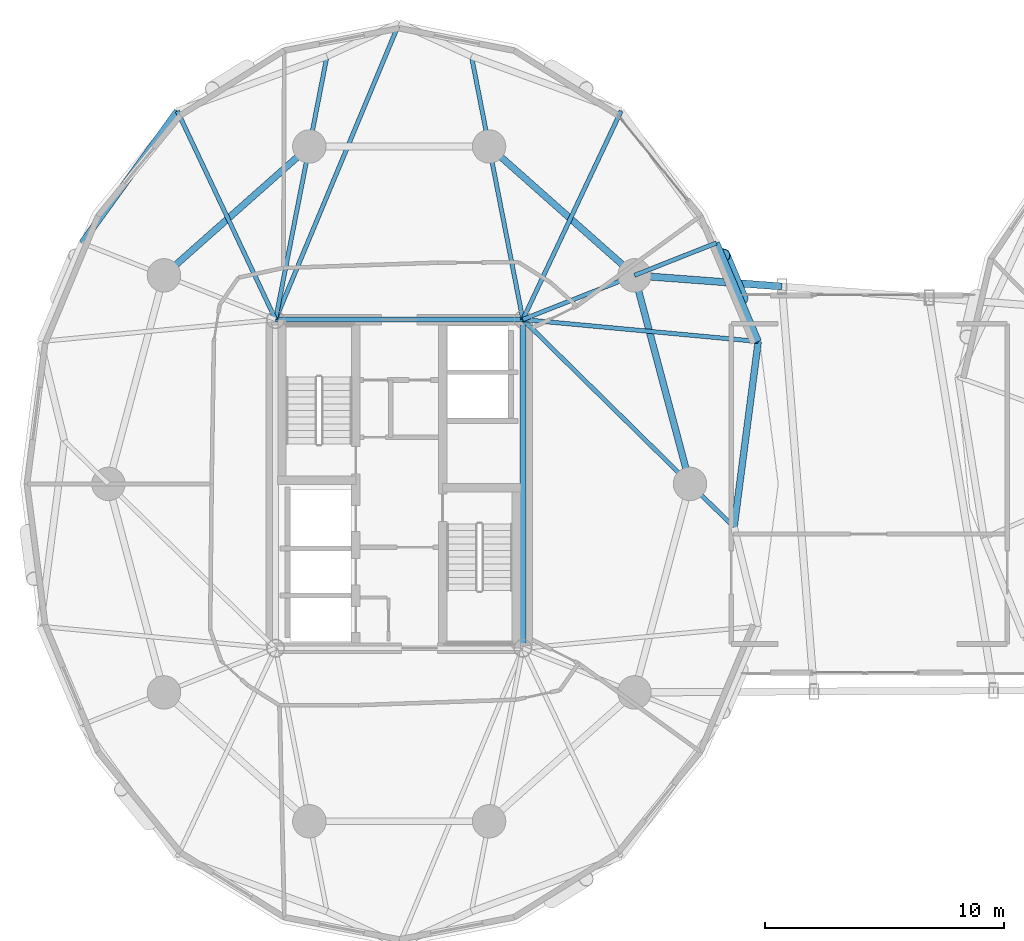
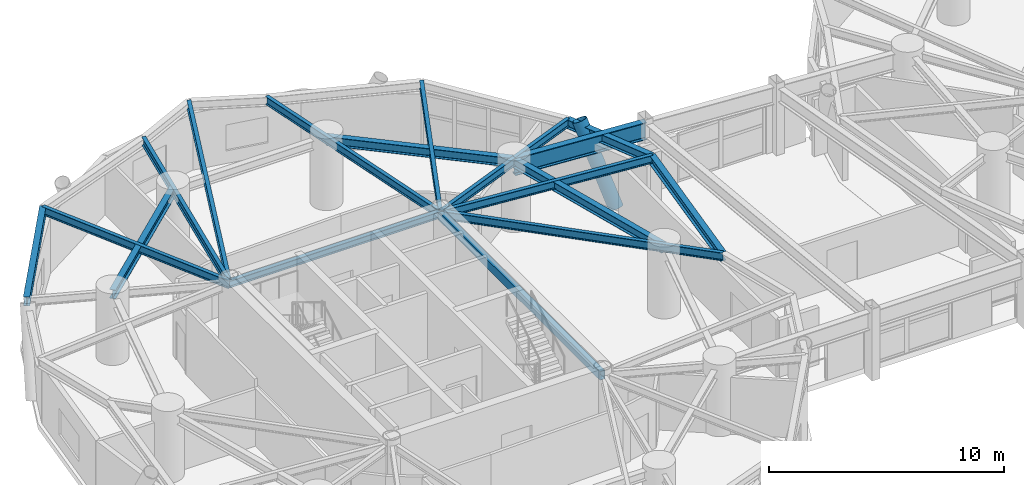
# One storey, part 2 of 19: 18 beams, 1 member.
"""IFC4 building model written with IfcOpenShell, lengths in metres."""

from ifc_helpers import new_model, si_unit, direction, frame, origin, origin_2d, place, context, subcontext, project, spatial, hollow_rectangle, hollow_circle, i_section, extrude, material, material_profile, profile_set, type_object, element, save


model = new_model("IFC4")

# Units and contexts
model_context = context("Model", 3, precision=1e-05, world=origin(), true_north=direction((0.0, 1.0)))
body_context = subcontext(model_context, "Body", "Model", "MODEL_VIEW")
ifc_project = project(units=[si_unit("LENGTHUNIT", "METRE"), si_unit("AREAUNIT", "SQUARE_METRE"), si_unit("VOLUMEUNIT", "CUBIC_METRE"), si_unit("PLANEANGLEUNIT", "RADIAN"), si_unit("MASSUNIT", "GRAM", prefix="KILO")], contexts=[model_context])

# Site, building, storey
site_placement = place(None, origin())
site = spatial("IfcSite", under=ifc_project, at=site_placement, CompositionType="ELEMENT")
building_placement = place(site_placement, origin())
building = spatial("IfcBuilding", under=site, at=building_placement, Name="Cununo Teusaquillo Station Towers", CompositionType="ELEMENT")
storey_placement = place(building_placement, frame((0.0, 0.0, 132.8798828125)))
storey = spatial("IfcBuildingStorey", under=building, at=storey_placement, Name="L42", CompositionType="ELEMENT", Elevation=132.8798828125)

# Beams
ifc_material_1 = material(Name="Steel EN 10025-2 S355J2", Category="steel")
ifc_material_profile_1 = material_profile(ifc_material_1, i_section(OverallWidth=0.300048828125, OverallDepth=0.89990234375, WebThickness=0.0185546875, FlangeThickness=0.034912109375, FilletRadius=0.027099609375, at=origin_2d()), Name="HEB 900")
ifc_profile_set_1 = profile_set([ifc_material_profile_1], Name="Steel EN 10025-2 S355J2")
beam_type_1 = type_object("IfcBeamType", Name="BM-BRG-CH2", PredefinedType="BEAM", material=ifc_profile_set_1)
beam_1_placement = place(storey_placement, frame((26.347412109375, 33.228515625, 2.990234375), z_axis=(0.997146155085, -0.075495333624, 0.0), x_axis=(0.075495333624, 0.997146155085, 0.0)))
element("IfcBeam", 1, at=beam_1_placement, inside=storey, type_object=beam_type_1, Name="L42 Mid-Bridge Chord N1", PredefinedType="BEAM", context=body_context, shape_type="SweptSolid", body=[
    extrude(i_section(OverallWidth=0.300048828125, OverallDepth=0.89990234375, WebThickness=0.0185546875, FlangeThickness=0.034912109375, FilletRadius=0.027099609375, at=origin_2d()), origin(), (0.0, 0.0, 1.0), 6.186279296875),
])
ifc_material_2 = material(Name="Steel EN 10025-2 S355J2", Category="steel")
ifc_material_profile_2 = material_profile(ifc_material_2, hollow_rectangle(XDim=0.25, YDim=0.449951171875, WallThickness=0.01611328125, at=origin_2d()), Name="RHS 450x250x16")
ifc_profile_set_2 = profile_set([ifc_material_profile_2], Name="Steel EN 10025-2 S355J2")
beam_type_2 = type_object("IfcBeamType", Name="BM-COUP-1", PredefinedType="USERDEFINED", material=ifc_profile_set_2)
beam_2_placement = place(storey_placement, frame((21.675048828125, 17.6201171875, 3.215087890625), z_axis=(0.0, 1.0, 0.0), x_axis=(-1.0, 0.0, 0.0)))
element("IfcBeam", 2, at=beam_2_placement, inside=storey, type_object=beam_type_2, Name="L42 Tower A Core Beam 2", ObjectType="COUPLING BEAM", PredefinedType="USERDEFINED", context=body_context, shape_type="SweptSolid", body=[
    extrude(hollow_rectangle(XDim=0.25, YDim=0.449951171875, WallThickness=0.01611328125, at=origin_2d()), origin(), (0.0, 0.0, 1.0), 13.759765625),
])
ifc_material_3 = material(Name="Steel ASTM A572 Grade 50", Category="steel")
ifc_material_profile_3 = material_profile(ifc_material_3, i_section(OverallWidth=0.180908203125, OverallDepth=0.4169921875, WebThickness=0.010986328125, FlangeThickness=0.018310546875, FilletRadius=0.012939453125, at=origin_2d()), Name="W16X57")
ifc_profile_set_3 = profile_set([ifc_material_profile_3], Name="Steel ASTM A572 Grade 50")
beam_type_3 = type_object("IfcBeamType", Name="BM-JOIST-1", PredefinedType="JOIST", material=ifc_profile_set_3)
beam_3_placement = place(storey_placement, frame((21.675048828125, 31.3798828125, 3.231689453125), z_axis=(0.995678537907, -0.09286683558, 0.0), x_axis=(0.09286683558, 0.995678537907, 0.0)))
element("IfcBeam", 3, at=beam_3_placement, inside=storey, type_object=beam_type_3, Name="L42 Tower A Radial Spandrel Joist V01", PredefinedType="JOIST", context=body_context, shape_type="SweptSolid", body=[
    extrude(i_section(OverallWidth=0.180908203125, OverallDepth=0.4169921875, WebThickness=0.010986328125, FlangeThickness=0.018310546875, FilletRadius=0.012939453125, at=origin_2d()), origin(), (0.0, 0.0, 1.0), 9.895263671875),
])
beam_4_placement = place(storey_placement, frame((21.675048828125, 31.3798828125, 3.231689453125), z_axis=(0.426319838016, 0.904572493344, 0.0), x_axis=(-0.904572493344, 0.426319838016, 0.0)))
element("IfcBeam", 4, at=beam_4_placement, inside=storey, type_object=beam_type_3, Name="L42 Tower A Radial Spandrel Joist V03", PredefinedType="JOIST", context=body_context, shape_type="SweptSolid", body=[
    extrude(i_section(OverallWidth=0.180908203125, OverallDepth=0.4169921875, WebThickness=0.010986328125, FlangeThickness=0.018310546875, FilletRadius=0.012939453125, at=origin_2d()), origin(), (0.0, 0.0, 1.0), 9.646728515625),
])
beam_5_placement = place(storey_placement, frame((11.324951171875, 31.3798828125, 3.231689453125), z_axis=(0.38487837995, 0.922967297713, 0.0), x_axis=(-0.922967297713, 0.38487837995, 0.0)))
element("IfcBeam", 5, at=beam_5_placement, inside=storey, type_object=beam_type_3, Name="L42 Tower A Radial Spandrel Joist V05", PredefinedType="JOIST", context=body_context, shape_type="SweptSolid", body=[
    extrude(i_section(OverallWidth=0.180908203125, OverallDepth=0.4169921875, WebThickness=0.010986328125, FlangeThickness=0.018310546875, FilletRadius=0.012939453125, at=origin_2d()), origin(), (0.0, 0.0, 1.0), 13.446044921875),
])
beam_6_placement = place(storey_placement, frame((11.324951171875, 31.3798828125, 3.231689453125), z_axis=(-0.426319838016, 0.904572493344, 0.0), x_axis=(-0.904572493344, -0.426319838016, 0.0)))
element("IfcBeam", 6, at=beam_6_placement, inside=storey, type_object=beam_type_3, Name="L42 Tower A Radial Spandrel Joist V07", PredefinedType="JOIST", context=body_context, shape_type="SweptSolid", body=[
    extrude(i_section(OverallWidth=0.180908203125, OverallDepth=0.4169921875, WebThickness=0.010986328125, FlangeThickness=0.018310546875, FilletRadius=0.012939453125, at=origin_2d()), origin(), (0.0, 0.0, 1.0), 9.646728515625),
])
ifc_material_4 = material(Name="Steel ASTM A572 Grade 50", Category="steel")
ifc_material_profile_4 = material_profile(ifc_material_4, i_section(OverallWidth=0.2041015625, OverallDepth=0.35009765625, WebThickness=0.008544921875, FlangeThickness=0.01513671875, FilletRadius=0.011962890625, at=origin_2d()), Name="W14X48")
ifc_profile_set_4 = profile_set([ifc_material_profile_4], Name="Steel ASTM A572 Grade 50")
beam_type_4 = type_object("IfcBeamType", Name="BM-LINTEL-1", PredefinedType="LINTEL", material=ifc_profile_set_4)
beam_7_placement = place(storey_placement, frame((11.324951171875, 31.3798828125, 3.26513671875), z_axis=(1.0, 0.0, 0.0), x_axis=(0.0, 1.0, 0.0)))
element("IfcBeam", 7, at=beam_7_placement, inside=storey, type_object=beam_type_4, Name="L42 Tower A Core Beam 4", PredefinedType="LINTEL", context=body_context, shape_type="SweptSolid", body=[
    extrude(i_section(OverallWidth=0.2041015625, OverallDepth=0.35009765625, WebThickness=0.008544921875, FlangeThickness=0.01513671875, FilletRadius=0.011962890625, at=origin_2d()), origin(), (0.0, 0.0, 1.0), 10.35009765625),
])
ifc_material_5 = material(Name="Steel ASTM A572 Grade 50", Category="steel")
ifc_material_profile_5 = material_profile(ifc_material_5, i_section(OverallWidth=0.180908203125, OverallDepth=0.4169921875, WebThickness=0.010986328125, FlangeThickness=0.018310546875, FilletRadius=0.012939453125, at=origin_2d()), Name="W16X57")
ifc_profile_set_5 = profile_set([ifc_material_profile_5], Name="Steel ASTM A572 Grade 50")
beam_type_5 = type_object("IfcBeamType", Name="BM-RAD-G2", PredefinedType="BEAM", material=ifc_profile_set_5)
beam_8_placement = place(storey_placement, frame((21.675048828125, 31.3798828125, 3.231689453125), z_axis=(0.713047137857, -0.701116095375, 0.0), x_axis=(0.701116095375, 0.713047137857, 0.0)))
element("IfcBeam", 8, at=beam_8_placement, inside=storey, type_object=beam_type_5, Name="L42 Tower A Continuous Overhanging Radial Girder 01", PredefinedType="BEAM", context=body_context, shape_type="SweptSolid", body=[
    extrude(i_section(OverallWidth=0.180908203125, OverallDepth=0.4169921875, WebThickness=0.010986328125, FlangeThickness=0.018310546875, FilletRadius=0.012939453125, at=origin_2d()), origin(), (0.0, 0.0, 1.0), 12.400390625),
])
beam_9_placement = place(storey_placement, frame((21.675048828125, 31.3798828125, 3.231689453125), z_axis=(0.929864104313, 0.367903176814, 0.0), x_axis=(-0.367903176814, 0.929864104313, 0.0)))
element("IfcBeam", 9, at=beam_9_placement, inside=storey, type_object=beam_type_5, Name="L42 Tower A Radial Girder 02A", PredefinedType="BEAM", context=body_context, shape_type="SweptSolid", body=[
    extrude(i_section(OverallWidth=0.180908203125, OverallDepth=0.4169921875, WebThickness=0.010986328125, FlangeThickness=0.018310546875, FilletRadius=0.012939453125, at=origin_2d()), origin(), (0.0, 0.0, 1.0), 5.02490234375),
])
beam_10_placement = place(storey_placement, frame((26.347412109375, 33.228515625, 3.231689453125), z_axis=(0.929861788731, 0.367909029323, 0.0), x_axis=(-0.367909029323, 0.929861788731, 0.0)))
element("IfcBeam", 10, at=beam_10_placement, inside=storey, type_object=beam_type_5, Name="L42 Tower A Perimeter Overhang Girder 02B", PredefinedType="BEAM", context=body_context, shape_type="SweptSolid", body=[
    extrude(i_section(OverallWidth=0.180908203125, OverallDepth=0.4169921875, WebThickness=0.010986328125, FlangeThickness=0.018310546875, FilletRadius=0.012939453125, at=origin_2d()), origin(), (0.0, 0.0, 1.0), 3.690185546875),
])
for number, where, z_axis, x_axis, name in (
    (11, (21.675048828125, 31.3798828125, 3.231689453125), (-0.191552755713, 0.981482318628, 0.0), (-0.981482318628, -0.191552755713, 0.0), "L42 Tower A Continuous Overhanging Radial Girder 03"),
    (12, (11.324951171875, 31.3798828125, 3.231689453125), (0.191552755713, 0.981482318628, 0.0), (-0.981482318628, 0.191552755713, 0.0), "L42 Tower A Continuous Overhanging Radial Girder 04"),
):
    element("IfcBeam", number, at=place(storey_placement, frame(where, z_axis=z_axis, x_axis=x_axis)), inside=storey, type_object=beam_type_5, Name=name, PredefinedType="BEAM", context=body_context, shape_type="SweptSolid", body=[
        extrude(i_section(OverallWidth=0.180908203125, OverallDepth=0.4169921875, WebThickness=0.010986328125, FlangeThickness=0.018310546875, FilletRadius=0.012939453125, at=origin_2d()), origin(), (0.0, 0.0, 1.0), 11.22998046875),
    ])
ifc_material_6 = material(Name="Steel ASTM A572 Grade 50", Category="steel")
ifc_material_profile_6 = material_profile(ifc_material_6, i_section(OverallWidth=0.280029296875, OverallDepth=0.462890625, WebThickness=0.0107421875, FlangeThickness=0.017333984375, FilletRadius=0.013916015625, at=origin_2d()), Name="W18X76")
ifc_profile_set_6 = profile_set([ifc_material_profile_6], Name="Steel ASTM A572 Grade 50")
beam_type_6 = type_object("IfcBeamType", Name="BM-RING-Z2", PredefinedType="SPANDREL", material=ifc_profile_set_6)
beam_11_placement = place(storey_placement, frame((28.672119140625, 24.5, 3.20849609375), z_axis=(-0.257363196347, 0.966314744359, 0.0), x_axis=(-0.966314744359, -0.257363196347, 0.0)))
element("IfcBeam", 13, at=beam_11_placement, inside=storey, type_object=beam_type_6, Name="L42 Tower A Structural Column Ring Girder 01", PredefinedType="SPANDREL", context=body_context, shape_type="SweptSolid", body=[
    extrude(i_section(OverallWidth=0.280029296875, OverallDepth=0.462890625, WebThickness=0.0107421875, FlangeThickness=0.017333984375, FilletRadius=0.013916015625, at=origin_2d()), origin(), (0.0, 0.0, 1.0), 9.03271484375),
])
for number, where, z_axis, x_axis, name in (
    (14, (26.347412109375, 33.228515625, 3.20849609375), (-0.74832120039, 0.66333655187, 0.0), (-0.66333655187, -0.74832120039, 0.0), "L42 Tower A Structural Column Ring Girder 02"),
    (15, (12.738525390625, 38.623291015625, 3.20849609375), (-0.74832120039, -0.66333655187, 0.0), (0.66333655187, -0.74832120039, 0.0), "L42 Tower A Structural Column Ring Girder 04"),
):
    element("IfcBeam", number, at=place(storey_placement, frame(where, z_axis=z_axis, x_axis=x_axis)), inside=storey, type_object=beam_type_6, Name=name, PredefinedType="SPANDREL", context=body_context, shape_type="SweptSolid", body=[
        extrude(i_section(OverallWidth=0.280029296875, OverallDepth=0.462890625, WebThickness=0.0107421875, FlangeThickness=0.017333984375, FilletRadius=0.013916015625, at=origin_2d()), origin(), (0.0, 0.0, 1.0), 8.1328125),
    ])
beam_12_placement = place(storey_placement, frame((30.51708984375, 22.685791015625, 3.20849609375), z_axis=(0.12888124113, 0.991660035337, 0.0), x_axis=(-0.991660035337, 0.12888124113, 0.0)))
element("IfcBeam", 16, at=beam_12_placement, inside=storey, type_object=beam_type_6, Name="L42 Tower A Spandrel Ring Beam 01", PredefinedType="SPANDREL", context=body_context, shape_type="SweptSolid", body=[
    extrude(i_section(OverallWidth=0.280029296875, OverallDepth=0.462890625, WebThickness=0.0107421875, FlangeThickness=0.017333984375, FilletRadius=0.013916015625, at=origin_2d()), origin(), (0.0, 0.0, 1.0), 7.840576171875),
])
beam_13_placement = place(storey_placement, frame((31.527587890625, 30.4609375, 3.20849609375), z_axis=(-0.390299356049, 0.920688010494, 0.0), x_axis=(-0.920688010494, -0.390299356049, 0.0)))
element("IfcBeam", 17, at=beam_13_placement, inside=storey, type_object=beam_type_6, Name="L42 Tower A Spandrel Ring Beam 02", PredefinedType="SPANDREL", context=body_context, shape_type="SweptSolid", body=[
    extrude(i_section(OverallWidth=0.280029296875, OverallDepth=0.462890625, WebThickness=0.0107421875, FlangeThickness=0.017333984375, FilletRadius=0.013916015625, at=origin_2d()), origin(), (0.0, 0.0, 1.0), 4.480712890625),
])
beam_14_placement = place(storey_placement, frame((7.21240234375, 40.10595703125, 3.20849609375), z_axis=(-0.58594455724, -0.810351143543, 0.0), x_axis=(0.810351143543, -0.58594455724, 0.0)))
element("IfcBeam", 18, at=beam_14_placement, inside=storey, type_object=beam_type_6, Name="L42 Tower A Spandrel Ring Beam 08", PredefinedType="SPANDREL", context=body_context, shape_type="SweptSolid", body=[
    extrude(i_section(OverallWidth=0.280029296875, OverallDepth=0.462890625, WebThickness=0.0107421875, FlangeThickness=0.017333984375, FilletRadius=0.013916015625, at=origin_2d()), origin(), (0.0, 0.0, 1.0), 6.8115234375),
])

# Member
ifc_material_7 = material(Name="Steel EN 10025-2 S355J2", Category="steel")
ifc_material_profile_7 = material_profile(ifc_material_7, hollow_circle(Radius=0.330078125, WallThickness=0.02490234375, at=origin_2d()), Name="CHS 660x25")
ifc_profile_set_7 = profile_set([ifc_material_profile_7], Name="Steel EN 10025-2 S355J2")
member_type = type_object("IfcMemberType", Name="MBR-DIAG-Z2", PredefinedType="BRACE", material=ifc_profile_set_7)
member_placement = place(storey_placement, frame((30.779541015625, 32.25341796875, -0.139892578125), z_axis=(-0.17825428596, 0.427135433263, 0.886442739938), x_axis=(-0.922861086318, -0.385132983993, 0.0)))
element("IfcMember", 19, at=member_placement, inside=storey, type_object=member_type, Name="L42 Tower A Folded-Zigzag Diagrid Tube C01", PredefinedType="BRACE", context=body_context, shape_type="SweptSolid", body=[
    extrude(hollow_circle(Radius=0.330078125, WallThickness=0.02490234375, at=origin_2d()), origin(), (0.0, 0.0, 1.0), 4.196533203125),
])

save(model, "model.ifc")
